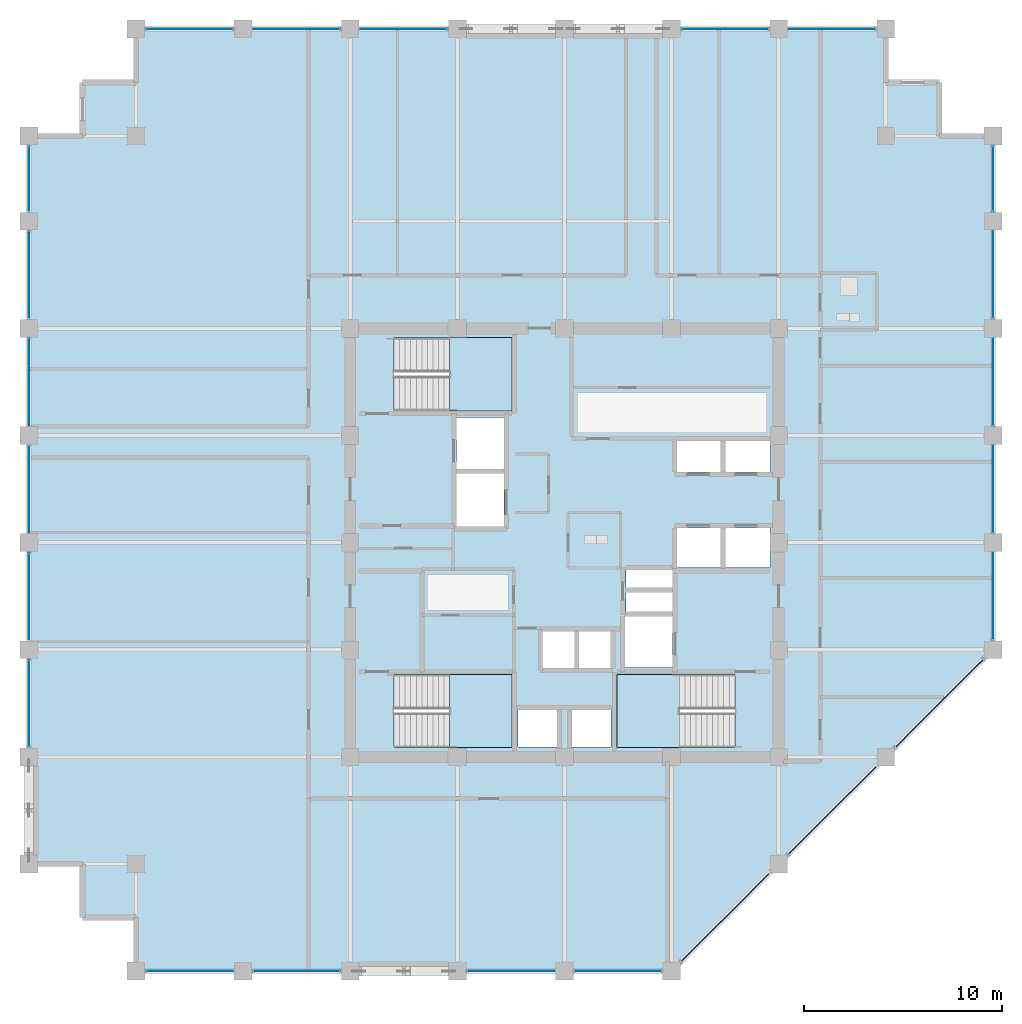
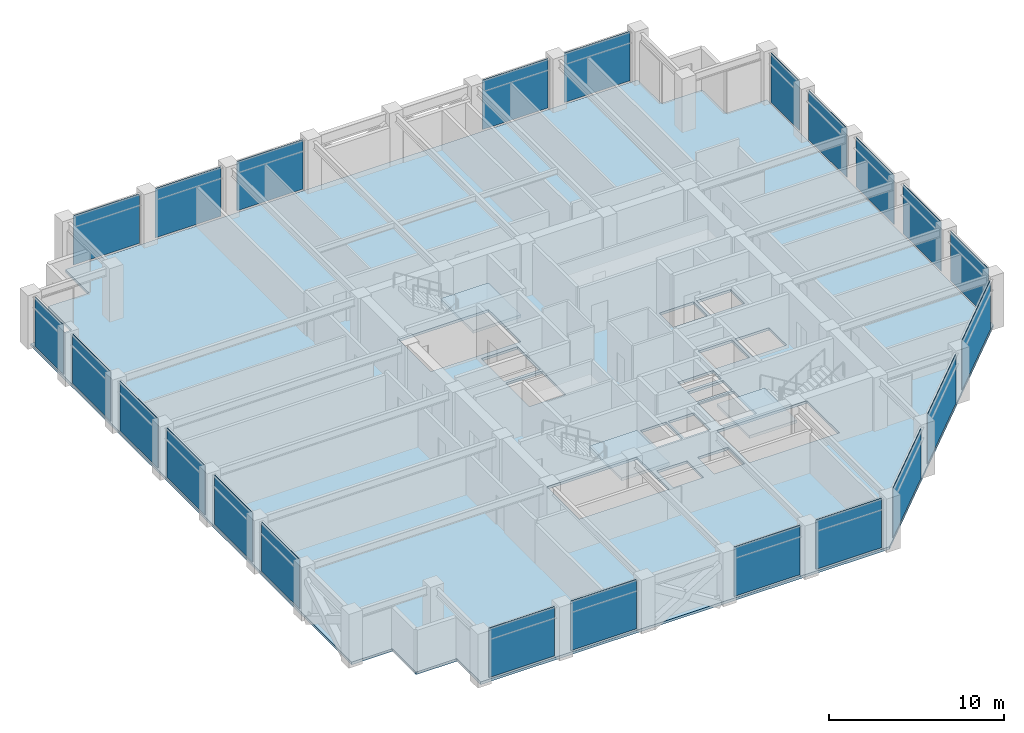
# One storey, part 26 of 32: 23 plates, 4 slabs, 10 elements without a shape of their own.
"""IFC4 building model written with IfcOpenShell, lengths in metres."""

from ifc_helpers import new_model, si_unit, direction, frame, frame_2d, origin, place, context, subcontext, project, spatial, polyline, rectangle, outline, extrude, material, layer, layer_set, type_object, element, aggregate, save


model = new_model("IFC4")

# Units and contexts
model_context = context("Model", 3, precision=1e-05, world=origin(), true_north=direction((0.0, 1.0)))
body_context = subcontext(model_context, "Body", "Model", "MODEL_VIEW")
ifc_project = project(units=[si_unit("LENGTHUNIT", "METRE"), si_unit("AREAUNIT", "SQUARE_METRE"), si_unit("VOLUMEUNIT", "CUBIC_METRE"), si_unit("PLANEANGLEUNIT", "RADIAN"), si_unit("MASSUNIT", "GRAM", prefix="KILO")], contexts=[model_context])

# Site, building, storey
site_placement = place(None, origin())
site = spatial("IfcSite", under=ifc_project, at=site_placement, CompositionType="ELEMENT")
building_placement = place(site_placement, origin())
building = spatial("IfcBuilding", under=site, at=building_placement, Name="Surkhivell Harbour Commons", CompositionType="ELEMENT")
storey_placement = place(building_placement, frame((0.0, 0.0, 201.0)))
storey = spatial("IfcBuildingStorey", under=building, at=storey_placement, Name="L52", CompositionType="ELEMENT", Elevation=201.0)

# Curtain wall, plates
ifc_material_1 = material(Name="Anodised pale-metal aluminium and insulated glazing", Category="aluminium")
ifc_layer_1 = layer(ifc_material_1, 0.18994140625)
ifc_layer_set_1 = layer_set([ifc_layer_1], Name="Anodised pale-metal aluminium and insulated glazing")
curtain_wall_type = type_object("IfcCurtainWallType", Name="CW-SYS-Z3", PredefinedType="NOTDEFINED", material=ifc_layer_set_1)
curtain_wall_1_placement = place(storey_placement, origin())
curtain_wall_1 = element("IfcCurtainWall", 1, at=curtain_wall_1_placement, inside=storey, type_object=curtain_wall_type, Name="L52 Curtain Wall CW-L52-E00S1", PredefinedType="NOTDEFINED")
ifc_material_2 = material(Name="High-pressure typhoon laminated vision glass", Category="glass")
ifc_layer_2 = layer(ifc_material_2, 0.035888671875)
ifc_layer_set_2 = layer_set([ifc_layer_2], Name="High-pressure typhoon laminated vision glass")
plate_type = type_object("IfcPlateType", Name="CWP-GLZ-36", PredefinedType="CURTAIN_PANEL", material=ifc_layer_set_2)
plate_1_placement = place(storey_placement, frame((-21.072998046875, -21.60009765625, 0.1298828125), z_axis=(0.0, 0.0, 1.0), x_axis=(1.0, 0.0, 0.0)))
plate_1 = element("IfcPlate", 2, at=plate_1_placement, type_object=plate_type, Name="CW-Z3 panel 1.1", PredefinedType="CURTAIN_PANEL", context=body_context, shape_type="SweptSolid", body=[
    extrude(rectangle(XDim=4.345947265625, YDim=0.035888671875, at=frame_2d((2.1728515625, 0.0))), origin(), (0.0, 0.0, 1.0), 3.440185546875),
])
plate_2_placement = place(storey_placement, frame((-15.673095703125, -21.60009765625, 0.1298828125), z_axis=(0.0, 0.0, 1.0), x_axis=(1.0, 0.0, 0.0)))
plate_2 = element("IfcPlate", 3, at=plate_2_placement, type_object=plate_type, Name="CW-Z3 panel 2.1", PredefinedType="CURTAIN_PANEL", context=body_context, shape_type="SweptSolid", body=[
    extrude(rectangle(XDim=4.34619140625, YDim=0.035888671875, at=frame_2d((2.173095703125, 0.0))), origin(), (0.0, 0.0, 1.0), 3.440185546875),
])
aggregate(curtain_wall_1, [plate_1, plate_2])

curtain_wall_2_placement = place(storey_placement, origin())
curtain_wall_2 = element("IfcCurtainWall", 4, at=curtain_wall_2_placement, inside=storey, type_object=curtain_wall_type, Name="L52 Curtain Wall CW-L52-E00S2", PredefinedType="NOTDEFINED")
plate_3_placement = place(storey_placement, frame((-4.873046875, -21.60009765625, 0.1298828125), z_axis=(0.0, 0.0, 1.0), x_axis=(1.0, 0.0, 0.0)))
plate_3 = element("IfcPlate", 5, at=plate_3_placement, type_object=plate_type, Name="CW-Z3 panel 1.1", PredefinedType="CURTAIN_PANEL", context=body_context, shape_type="SweptSolid", body=[
    extrude(rectangle(XDim=4.345947265625, YDim=0.035888671875, at=frame_2d((2.1728515625, 0.0))), origin(), (0.0, 0.0, 1.0), 3.440185546875),
])
plate_4_placement = place(storey_placement, frame((0.527099609375, -21.60009765625, 0.1298828125), z_axis=(0.0, 0.0, 1.0), x_axis=(1.0, 0.0, 0.0)))
plate_4 = element("IfcPlate", 6, at=plate_4_placement, type_object=plate_type, Name="CW-Z3 panel 2.1", PredefinedType="CURTAIN_PANEL", context=body_context, shape_type="SweptSolid", body=[
    extrude(rectangle(XDim=4.345947265625, YDim=0.035888671875, at=frame_2d((2.1728515625, 0.0))), origin(), (0.0, 0.0, 1.0), 3.440185546875),
])
aggregate(curtain_wall_2, [plate_3, plate_4])

curtain_wall_3_placement = place(storey_placement, origin())
curtain_wall_3 = element("IfcCurtainWall", 7, at=curtain_wall_3_placement, inside=storey, type_object=curtain_wall_type, Name="L52 Curtain Wall CW-L52-E01", PredefinedType="NOTDEFINED")
plate_5_placement = place(storey_placement, frame((5.90478515625, -21.09521484375, 0.1298828125), z_axis=(0.0, 0.0, 1.0), x_axis=(0.707106781187, 0.707106781187, 0.0)))
plate_5 = element("IfcPlate", 8, at=plate_5_placement, type_object=plate_type, Name="CW-Z3 panel 1.1", PredefinedType="CURTAIN_PANEL", context=body_context, shape_type="SweptSolid", body=[
    extrude(rectangle(XDim=6.209228515625, YDim=0.035888671875, at=frame_2d((3.1044921875, 0.0))), origin(), (0.0, 0.0, 1.0), 3.440185546875),
])
plate_6_placement = place(storey_placement, frame((11.3046875, -15.6953125, 0.1298828125), z_axis=(0.0, 0.0, 1.0), x_axis=(0.707106781187, 0.707106781187, 0.0)))
plate_6 = element("IfcPlate", 9, at=plate_6_placement, type_object=plate_type, Name="CW-Z3 panel 2.1", PredefinedType="CURTAIN_PANEL", context=body_context, shape_type="SweptSolid", body=[
    extrude(rectangle(XDim=6.209228515625, YDim=0.035888671875, at=frame_2d((3.1044921875, 0.0))), origin(), (0.0, 0.0, 1.0), 3.440185546875),
])
plate_7_placement = place(storey_placement, frame((16.70458984375, -10.29541015625, 0.1298828125), z_axis=(0.0, 0.0, 1.0), x_axis=(0.707106781187, 0.707106781187, 0.0)))
plate_7 = element("IfcPlate", 10, at=plate_7_placement, type_object=plate_type, Name="CW-Z3 panel 3.1", PredefinedType="CURTAIN_PANEL", context=body_context, shape_type="SweptSolid", body=[
    extrude(rectangle(XDim=6.209228515625, YDim=0.035888671875, at=frame_2d((3.1044921875, 0.0))), origin(), (0.0, 0.0, 1.0), 3.440185546875),
])
aggregate(curtain_wall_3, [plate_5, plate_6, plate_7])

curtain_wall_4_placement = place(storey_placement, origin())
curtain_wall_4 = element("IfcCurtainWall", 11, at=curtain_wall_4_placement, inside=storey, type_object=curtain_wall_type, Name="L52 Curtain Wall CW-L52-E02", PredefinedType="NOTDEFINED")
plate_8_placement = place(storey_placement, frame((21.60009765625, -4.873046875, 0.1298828125), z_axis=(0.0, 0.0, 1.0), x_axis=(0.0, 1.0, 0.0)))
plate_8 = element("IfcPlate", 12, at=plate_8_placement, type_object=plate_type, Name="CW-Z3 panel 1.1", PredefinedType="CURTAIN_PANEL", context=body_context, shape_type="SweptSolid", body=[
    extrude(rectangle(XDim=4.345947265625, YDim=0.035888671875, at=frame_2d((2.1728515625, 0.0))), origin(), (0.0, 0.0, 1.0), 3.440185546875),
])
plate_9_placement = place(storey_placement, frame((21.60009765625, 0.527099609375, 0.1298828125), z_axis=(0.0, 0.0, 1.0), x_axis=(0.0, 1.0, 0.0)))
plate_9 = element("IfcPlate", 13, at=plate_9_placement, type_object=plate_type, Name="CW-Z3 panel 2.1", PredefinedType="CURTAIN_PANEL", context=body_context, shape_type="SweptSolid", body=[
    extrude(rectangle(XDim=4.345947265625, YDim=0.035888671875, at=frame_2d((2.1728515625, 0.0))), origin(), (0.0, 0.0, 1.0), 3.440185546875),
])
plate_10_placement = place(storey_placement, frame((21.60009765625, 5.927001953125, 0.1298828125), z_axis=(0.0, 0.0, 1.0), x_axis=(0.0, 1.0, 0.0)))
plate_10 = element("IfcPlate", 14, at=plate_10_placement, type_object=plate_type, Name="CW-Z3 panel 3.1", PredefinedType="CURTAIN_PANEL", context=body_context, shape_type="SweptSolid", body=[
    extrude(rectangle(XDim=4.345947265625, YDim=0.035888671875, at=frame_2d((2.1728515625, 0.0))), origin(), (0.0, 0.0, 1.0), 3.440185546875),
])
plate_11_placement = place(storey_placement, frame((21.60009765625, 11.326904296875, 0.1298828125), z_axis=(0.0, 0.0, 1.0), x_axis=(0.0, 1.0, 0.0)))
plate_11 = element("IfcPlate", 15, at=plate_11_placement, type_object=plate_type, Name="CW-Z3 panel 4.1", PredefinedType="CURTAIN_PANEL", context=body_context, shape_type="SweptSolid", body=[
    extrude(rectangle(XDim=4.34619140625, YDim=0.035888671875, at=frame_2d((2.173095703125, 0.0))), origin(), (0.0, 0.0, 1.0), 3.440185546875),
])
plate_12_placement = place(storey_placement, frame((21.60009765625, 16.72705078125, 0.1298828125), z_axis=(0.0, 0.0, 1.0), x_axis=(0.0, 1.0, 0.0)))
plate_12 = element("IfcPlate", 16, at=plate_12_placement, type_object=plate_type, Name="CW-Z3 panel 5.1", PredefinedType="CURTAIN_PANEL", context=body_context, shape_type="SweptSolid", body=[
    extrude(rectangle(XDim=3.245849609375, YDim=0.035888671875, at=frame_2d((1.623046875, 0.0))), origin(), (0.0, 0.0, 1.0), 3.440185546875),
])
aggregate(curtain_wall_4, [plate_8, plate_9, plate_10, plate_11, plate_12])

curtain_wall_5_placement = place(storey_placement, origin())
curtain_wall_5 = element("IfcCurtainWall", 17, at=curtain_wall_5_placement, inside=storey, type_object=curtain_wall_type, Name="L52 Curtain Wall CW-L52-E07S1", PredefinedType="NOTDEFINED")
plate_13_placement = place(storey_placement, frame((15.673095703125, 25.89990234375, 0.1298828125), z_axis=(0.0, 0.0, 1.0), x_axis=(-1.0, 0.0, 0.0)))
plate_13 = element("IfcPlate", 18, at=plate_13_placement, type_object=plate_type, Name="CW-Z3 panel 1.1", PredefinedType="CURTAIN_PANEL", context=body_context, shape_type="SweptSolid", body=[
    extrude(rectangle(XDim=4.34619140625, YDim=0.035888671875, at=frame_2d((2.173095703125, 0.0))), origin(), (0.0, 0.0, 1.0), 3.440185546875),
])
plate_14_placement = place(storey_placement, frame((10.27294921875, 25.89990234375, 0.1298828125), z_axis=(0.0, 0.0, 1.0), x_axis=(-1.0, 0.0, 0.0)))
plate_14 = element("IfcPlate", 19, at=plate_14_placement, type_object=plate_type, Name="CW-Z3 panel 2.1", PredefinedType="CURTAIN_PANEL", context=body_context, shape_type="SweptSolid", body=[
    extrude(rectangle(XDim=4.345947265625, YDim=0.035888671875, at=frame_2d((2.1728515625, 0.0))), origin(), (0.0, 0.0, 1.0), 3.440185546875),
])
aggregate(curtain_wall_5, [plate_13, plate_14])

curtain_wall_6_placement = place(storey_placement, origin())
curtain_wall_6 = element("IfcCurtainWall", 20, at=curtain_wall_6_placement, inside=storey, type_object=curtain_wall_type, Name="L52 Curtain Wall CW-L52-E07S2", PredefinedType="NOTDEFINED")
plate_15_placement = place(storey_placement, frame((-5.927001953125, 25.89990234375, 0.1298828125), z_axis=(0.0, 0.0, 1.0), x_axis=(-1.0, 0.0, 0.0)))
plate_15 = element("IfcPlate", 21, at=plate_15_placement, type_object=plate_type, Name="CW-Z3 panel 1.1", PredefinedType="CURTAIN_PANEL", context=body_context, shape_type="SweptSolid", body=[
    extrude(rectangle(XDim=4.345947265625, YDim=0.035888671875, at=frame_2d((2.1728515625, 0.0))), origin(), (0.0, 0.0, 1.0), 3.440185546875),
])
plate_16_placement = place(storey_placement, frame((-11.326904296875, 25.89990234375, 0.1298828125), z_axis=(0.0, 0.0, 1.0), x_axis=(-1.0, 0.0, 0.0)))
plate_16 = element("IfcPlate", 22, at=plate_16_placement, type_object=plate_type, Name="CW-Z3 panel 2.1", PredefinedType="CURTAIN_PANEL", context=body_context, shape_type="SweptSolid", body=[
    extrude(rectangle(XDim=4.34619140625, YDim=0.035888671875, at=frame_2d((2.173095703125, 0.0))), origin(), (0.0, 0.0, 1.0), 3.440185546875),
])
plate_17_placement = place(storey_placement, frame((-16.72705078125, 25.89990234375, 0.1298828125), z_axis=(0.0, 0.0, 1.0), x_axis=(-1.0, 0.0, 0.0)))
plate_17 = element("IfcPlate", 23, at=plate_17_placement, type_object=plate_type, Name="CW-Z3 panel 3.1", PredefinedType="CURTAIN_PANEL", context=body_context, shape_type="SweptSolid", body=[
    extrude(rectangle(XDim=4.345947265625, YDim=0.035888671875, at=frame_2d((2.1728515625, 0.0))), origin(), (0.0, 0.0, 1.0), 3.440185546875),
])
aggregate(curtain_wall_6, [plate_15, plate_16, plate_17])

curtain_wall_7_placement = place(storey_placement, origin())
curtain_wall_7 = element("IfcCurtainWall", 24, at=curtain_wall_7_placement, inside=storey, type_object=curtain_wall_type, Name="L52 Curtain Wall CW-L52-E12S1", PredefinedType="NOTDEFINED")
plate_18_placement = place(storey_placement, frame((-27.0, 19.972900390625, 0.1298828125), z_axis=(0.0, 0.0, 1.0), x_axis=(0.0, -1.0, 0.0)))
plate_18 = element("IfcPlate", 25, at=plate_18_placement, type_object=plate_type, Name="CW-Z3 panel 1.1", PredefinedType="CURTAIN_PANEL", context=body_context, shape_type="SweptSolid", body=[
    extrude(rectangle(XDim=3.245849609375, YDim=0.035888671875, at=frame_2d((1.623046875, 0.0))), origin(), (0.0, 0.0, 1.0), 3.440185546875),
])
plate_19_placement = place(storey_placement, frame((-27.0, 15.673095703125, 0.1298828125), z_axis=(0.0, 0.0, 1.0), x_axis=(0.0, -1.0, 0.0)))
plate_19 = element("IfcPlate", 26, at=plate_19_placement, type_object=plate_type, Name="CW-Z3 panel 2.1", PredefinedType="CURTAIN_PANEL", context=body_context, shape_type="SweptSolid", body=[
    extrude(rectangle(XDim=4.34619140625, YDim=0.035888671875, at=frame_2d((2.173095703125, 0.0))), origin(), (0.0, 0.0, 1.0), 3.440185546875),
])
plate_20_placement = place(storey_placement, frame((-27.0, 10.27294921875, 0.1298828125), z_axis=(0.0, 0.0, 1.0), x_axis=(0.0, -1.0, 0.0)))
plate_20 = element("IfcPlate", 27, at=plate_20_placement, type_object=plate_type, Name="CW-Z3 panel 3.1", PredefinedType="CURTAIN_PANEL", context=body_context, shape_type="SweptSolid", body=[
    extrude(rectangle(XDim=4.345947265625, YDim=0.035888671875, at=frame_2d((2.1728515625, 0.0))), origin(), (0.0, 0.0, 1.0), 3.440185546875),
])
plate_21_placement = place(storey_placement, frame((-27.0, 4.873046875, 0.1298828125), z_axis=(0.0, 0.0, 1.0), x_axis=(0.0, -1.0, 0.0)))
plate_21 = element("IfcPlate", 28, at=plate_21_placement, type_object=plate_type, Name="CW-Z3 panel 4.1", PredefinedType="CURTAIN_PANEL", context=body_context, shape_type="SweptSolid", body=[
    extrude(rectangle(XDim=4.345947265625, YDim=0.035888671875, at=frame_2d((2.1728515625, 0.0))), origin(), (0.0, 0.0, 1.0), 3.440185546875),
])
plate_22_placement = place(storey_placement, frame((-27.0, -0.527099609375, 0.1298828125), z_axis=(0.0, 0.0, 1.0), x_axis=(0.0, -1.0, 0.0)))
plate_22 = element("IfcPlate", 29, at=plate_22_placement, type_object=plate_type, Name="CW-Z3 panel 5.1", PredefinedType="CURTAIN_PANEL", context=body_context, shape_type="SweptSolid", body=[
    extrude(rectangle(XDim=4.345947265625, YDim=0.035888671875, at=frame_2d((2.1728515625, 0.0))), origin(), (0.0, 0.0, 1.0), 3.440185546875),
])
plate_23_placement = place(storey_placement, frame((-27.0, -5.927001953125, 0.1298828125), z_axis=(0.0, 0.0, 1.0), x_axis=(0.0, -1.0, 0.0)))
plate_23 = element("IfcPlate", 30, at=plate_23_placement, type_object=plate_type, Name="CW-Z3 panel 6.1", PredefinedType="CURTAIN_PANEL", context=body_context, shape_type="SweptSolid", body=[
    extrude(rectangle(XDim=4.345947265625, YDim=0.035888671875, at=frame_2d((2.1728515625, 0.0))), origin(), (0.0, 0.0, 1.0), 3.440185546875),
])
aggregate(curtain_wall_7, [plate_18, plate_19, plate_20, plate_21, plate_22, plate_23])

# Stair, slab
ifc_material_3 = material(Name="Precast concrete C45/55", Category="concrete")
stair_type = type_object("IfcStairType", Name="STR-DL-375", PredefinedType="HALF_TURN_STAIR", material=ifc_material_3)
stair_1_placement = place(storey_placement, origin())
stair_1 = element("IfcStair", 31, at=stair_1_placement, inside=storey, type_object=stair_type, Name="L52 Core Exit Stair ST1", PredefinedType="HALF_TURN_STAIR")
ifc_material_4 = material(Name="Reinforced concrete C45/55", Category="concrete")
ifc_layer_3 = layer(ifc_material_4, 0.199951171875)
ifc_layer_set_3 = layer_set([ifc_layer_3], Name="Reinforced concrete C45/55")
slab_type_1 = type_object("IfcSlabType", Name="SLB-ST-LND200", PredefinedType="LANDING", material=ifc_layer_set_3)
slab_1_placement = place(storey_placement, frame((0.0, 0.0, 1.675048828125)))
slab_1 = element("IfcSlab", 32, at=slab_1_placement, type_object=slab_type_1, Name="ST1 landing 1", PredefinedType="LANDING", context=body_context, shape_type="SweptSolid", body=[
    extrude(outline(polyline([(-5.7900390625, 6.639892578125), (-2.639892578125, 6.639892578125), (-2.639892578125, 10.340087890625), (-5.7900390625, 10.340087890625), (-5.7900390625, 6.639892578125)])), origin(), (0.0, 0.0, 1.0), 0.199951171875),
])
aggregate(stair_1, [slab_1])

stair_2_placement = place(storey_placement, origin())
stair_2 = element("IfcStair", 33, at=stair_2_placement, inside=storey, type_object=stair_type, Name="L52 Core Exit Stair ST2", PredefinedType="HALF_TURN_STAIR")
slab_2_placement = place(storey_placement, frame((0.0, 0.0, 1.675048828125)))
slab_2 = element("IfcSlab", 34, at=slab_2_placement, type_object=slab_type_1, Name="ST2 landing 1", PredefinedType="LANDING", context=body_context, shape_type="SweptSolid", body=[
    extrude(outline(polyline([(5.7900390625, -6.639892578125), (2.639892578125, -6.639892578125), (2.639892578125, -10.340087890625), (5.7900390625, -10.340087890625), (5.7900390625, -6.639892578125)])), origin(), (0.0, 0.0, 1.0), 0.199951171875),
])
aggregate(stair_2, [slab_2])

stair_3_placement = place(storey_placement, origin())
stair_3 = element("IfcStair", 35, at=stair_3_placement, inside=storey, type_object=stair_type, Name="L52 Core Exit Stair ST3", PredefinedType="HALF_TURN_STAIR")
slab_3_placement = place(storey_placement, frame((0.0, 0.0, 1.675048828125)))
slab_3 = element("IfcSlab", 36, at=slab_3_placement, type_object=slab_type_1, Name="ST3 landing 1", PredefinedType="LANDING", context=body_context, shape_type="SweptSolid", body=[
    extrude(outline(polyline([(-5.7900390625, -10.340087890625), (-2.639892578125, -10.340087890625), (-2.639892578125, -6.639892578125), (-5.7900390625, -6.639892578125), (-5.7900390625, -10.340087890625)])), origin(), (0.0, 0.0, 1.0), 0.199951171875),
])
aggregate(stair_3, [slab_3])

# Slab
ifc_material_5 = material(Name="Concrete C45/55", Category="concrete")
ifc_layer_4 = layer(ifc_material_5, 0.179931640625)
ifc_layer_set_4 = layer_set([ifc_layer_4], Name="Concrete C45/55")
slab_type_2 = type_object("IfcSlabType", Name="SLB-TYP-180", PredefinedType="FLOOR", material=ifc_layer_set_4)
slab_4_placement = place(storey_placement, frame((0.0, 0.0, -0.179931640625)))
element("IfcSlab", 37, at=slab_4_placement, inside=storey, type_object=slab_type_2, Name="L52 Structural Floor Slab", PredefinedType="FLOOR", context=body_context, shape_type="SweptSolid", body=[
    extrude(outline(polyline([(-21.60009765625, -21.60009765625), (5.39990234375, -21.60009765625), (21.60009765625, -5.39990234375), (21.60009765625, 20.5), (18.89990234375, 20.5), (18.89990234375, 23.199951171875), (16.199951171875, 23.199951171875), (16.199951171875, 25.89990234375), (-21.60009765625, 25.89990234375), (-21.60009765625, 23.199951171875), (-24.300048828125, 23.199951171875), (-24.300048828125, 20.5), (-27.0, 20.5), (-27.0, -16.199951171875), (-24.300048828125, -16.199951171875), (-24.300048828125, -18.89990234375), (-21.60009765625, -18.89990234375), (-21.60009765625, -21.60009765625)]), holes=[polyline([(-8.590087890625, 6.639892578125), (-2.639892578125, 6.639892578125), (-2.639892578125, 10.340087890625), (-8.590087890625, 10.340087890625), (-8.590087890625, 6.639892578125)]), polyline([(8.590087890625, -6.639892578125), (2.639892578125, -6.639892578125), (2.639892578125, -10.340087890625), (8.590087890625, -10.340087890625), (8.590087890625, -6.639892578125)]), polyline([(-8.590087890625, -10.340087890625), (-2.639892578125, -10.340087890625), (-2.639892578125, -6.639892578125), (-8.590087890625, -6.639892578125), (-8.590087890625, -10.340087890625)]), polyline([(5.64990234375, 3.550048828125), (7.89990234375, 3.550048828125), (7.89990234375, 5.14990234375), (5.64990234375, 5.14990234375), (5.64990234375, 3.550048828125)]), polyline([(8.10009765625, 3.550048828125), (10.35009765625, 3.550048828125), (10.35009765625, 5.14990234375), (8.10009765625, 5.14990234375), (8.10009765625, 3.550048828125)]), polyline([(5.64990234375, -1.25), (7.89990234375, -1.25), (7.89990234375, 0.75), (5.64990234375, 0.75), (5.64990234375, -1.25)]), polyline([(8.10009765625, -1.25), (10.35009765625, -1.25), (10.35009765625, 0.75), (8.10009765625, 0.75), (8.10009765625, -1.25)]), polyline([(-1.14990234375, -6.35009765625), (0.550048828125, -6.35009765625), (0.550048828125, -4.449951171875), (-1.14990234375, -4.449951171875), (-1.14990234375, -6.35009765625)]), polyline([(0.679931640625, -6.35009765625), (2.3798828125, -6.35009765625), (2.3798828125, -4.449951171875), (0.679931640625, -4.449951171875), (0.679931640625, -6.35009765625)]), polyline([(-2.35009765625, -10.300048828125), (-0.35009765625, -10.300048828125), (-0.35009765625, -8.39990234375), (-2.35009765625, -8.39990234375), (-2.35009765625, -10.300048828125)]), polyline([(0.35009765625, -10.300048828125), (2.35009765625, -10.300048828125), (2.35009765625, -8.39990234375), (0.35009765625, -8.39990234375), (0.35009765625, -10.300048828125)]), polyline([(-5.449951171875, 3.699951171875), (-3.050048828125, 3.699951171875), (-3.050048828125, 6.300048828125), (-5.449951171875, 6.300048828125), (-5.449951171875, 3.699951171875)]), polyline([(3.050048828125, -6.300048828125), (5.449951171875, -6.300048828125), (5.449951171875, -3.699951171875), (3.050048828125, -3.699951171875), (3.050048828125, -6.300048828125)]), polyline([(-5.449951171875, 0.800048828125), (-3.050048828125, 0.800048828125), (-3.050048828125, 3.5), (-5.449951171875, 3.5), (-5.449951171875, 0.800048828125)]), polyline([(3.10009765625, -3.550048828125), (5.449951171875, -3.550048828125), (5.449951171875, -2.47998046875), (3.10009765625, -2.47998046875), (3.10009765625, -3.550048828125)]), polyline([(3.10009765625, -2.280029296875), (5.449951171875, -2.280029296875), (5.449951171875, -1.35009765625), (3.10009765625, -1.35009765625), (3.10009765625, -2.280029296875)])]), origin(), (0.0, 0.0, 1.0), 0.179931640625),
])

save(model, "model.ifc")
